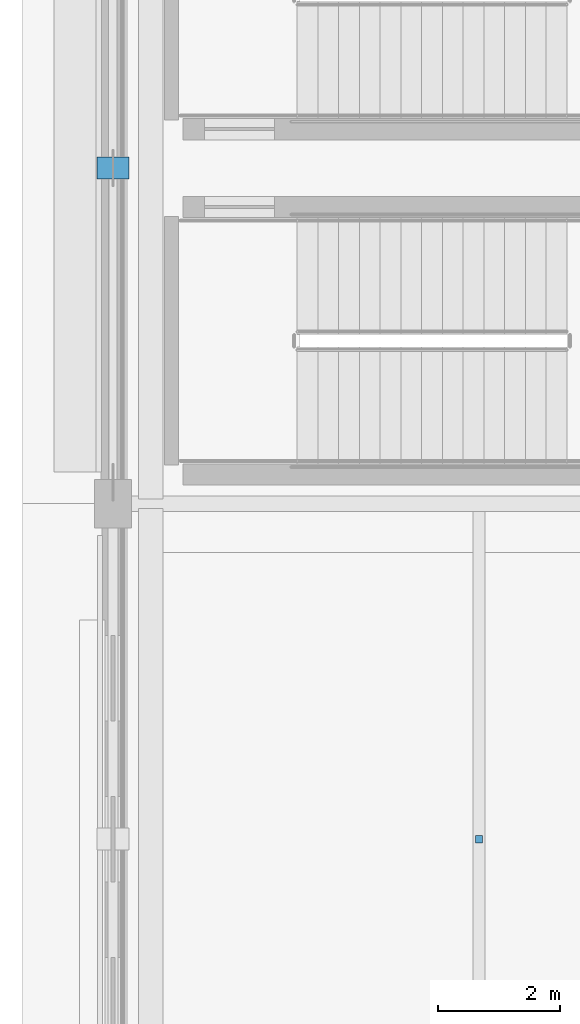
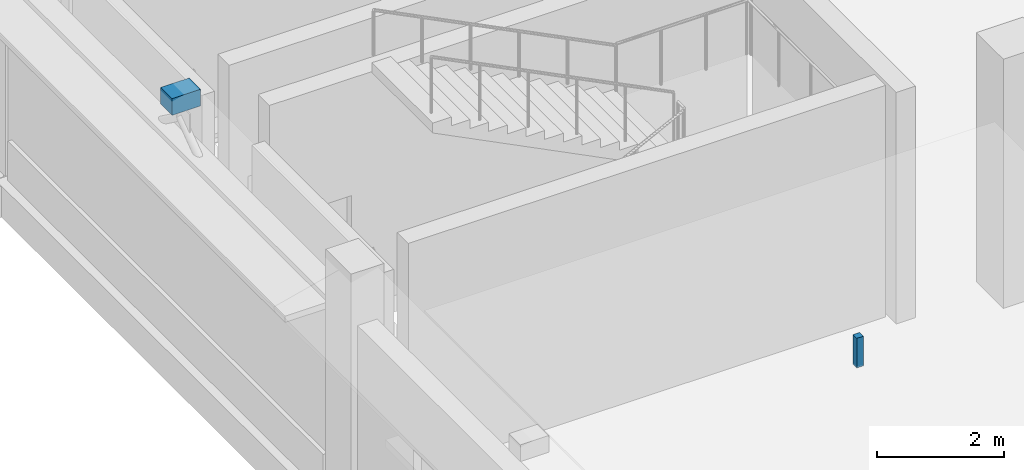
# One storey, part 110 of 143: 2 discrete accessories.
"""IFC4 building model written with IfcOpenShell, lengths in metres."""

from ifc_helpers import new_model, si_unit, direction, frame, origin, origin_2d, place, context, subcontext, project, spatial, rectangle, extrude, material, layer, layer_set, type_object, element, save


model = new_model("IFC4")

# Units and contexts
model_context = context("Model", 3, precision=1e-05, world=origin(), true_north=direction((0.0, 1.0)))
body_context = subcontext(model_context, "Body", "Model", "MODEL_VIEW")
ifc_project = project(units=[si_unit("LENGTHUNIT", "METRE"), si_unit("AREAUNIT", "SQUARE_METRE"), si_unit("VOLUMEUNIT", "CUBIC_METRE"), si_unit("PLANEANGLEUNIT", "RADIAN"), si_unit("MASSUNIT", "GRAM", prefix="KILO")], contexts=[model_context])

# Site, building, storey
site_placement = place(None, origin())
site = spatial("IfcSite", under=ifc_project, at=site_placement, CompositionType="ELEMENT")
building_placement = place(site_placement, origin())
building = spatial("IfcBuilding", under=site, at=building_placement, Name="Luwafu Chhajja Arena", CompositionType="ELEMENT")
storey_placement = place(building_placement, frame((0.0, 0.0, 5.39990234375)))
storey = spatial("IfcBuildingStorey", under=building, at=storey_placement, Name="L01", CompositionType="ELEMENT", Elevation=5.39990234375)

# Discrete accessories
ifc_material = material(Name="Stainless steel bracket", Category="steel")
ifc_layer = layer(ifc_material, 0.179931640625, Name="Stainless steel bracket")
ifc_layer_set = layer_set([ifc_layer], Name="Stainless steel bracket")
discrete_accessory_type = type_object("IfcDiscreteAccessoryType", Name="Stainless Steel Facade Support Bracket", PredefinedType="BRACKET", material=ifc_layer_set)
discrete_accessory_1_placement = place(storey_placement, frame((34.0, 82.5, 4.3798828125), z_axis=(0.0, 0.0, 1.0), x_axis=(0.0, 1.0, 0.0)))
element("IfcDiscreteAccessory", 1, at=discrete_accessory_1_placement, inside=storey, type_object=discrete_accessory_type, Name="L01 Chhajja Eave Support Bracket 0159", PredefinedType="BRACKET", context=body_context, shape_type="SweptSolid", body=[
    extrude(rectangle(XDim=0.360107421875, YDim=0.52001953125, at=origin_2d()), origin(), (0.0, 0.0, 1.0), 0.320068359375),
])
discrete_accessory_2_placement = place(storey_placement, frame((40.0, 71.5, 3.94140625), z_axis=(0.0, 0.0, 1.0), x_axis=(1.0, 0.0, 0.0)))
element("IfcDiscreteAccessory", 2, at=discrete_accessory_2_placement, inside=storey, type_object=discrete_accessory_type, Name="L01 Ceiling Suspension Hanger 028", PredefinedType="BRACKET", context=body_context, shape_type="SweptSolid", body=[
    extrude(rectangle(XDim=0.1201171875, YDim=0.1201171875, at=origin_2d()), origin(), (0.0, 0.0, 1.0), 0.568603515625),
])

save(model, "model.ifc")
